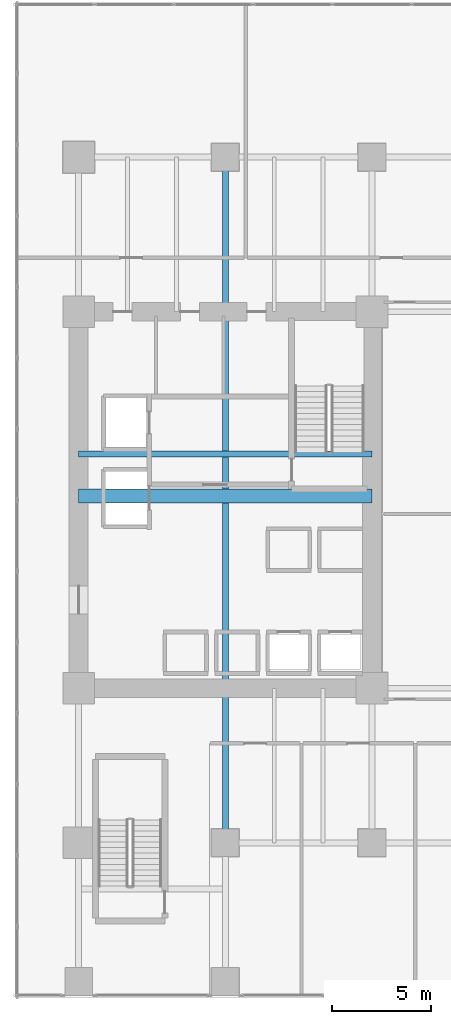
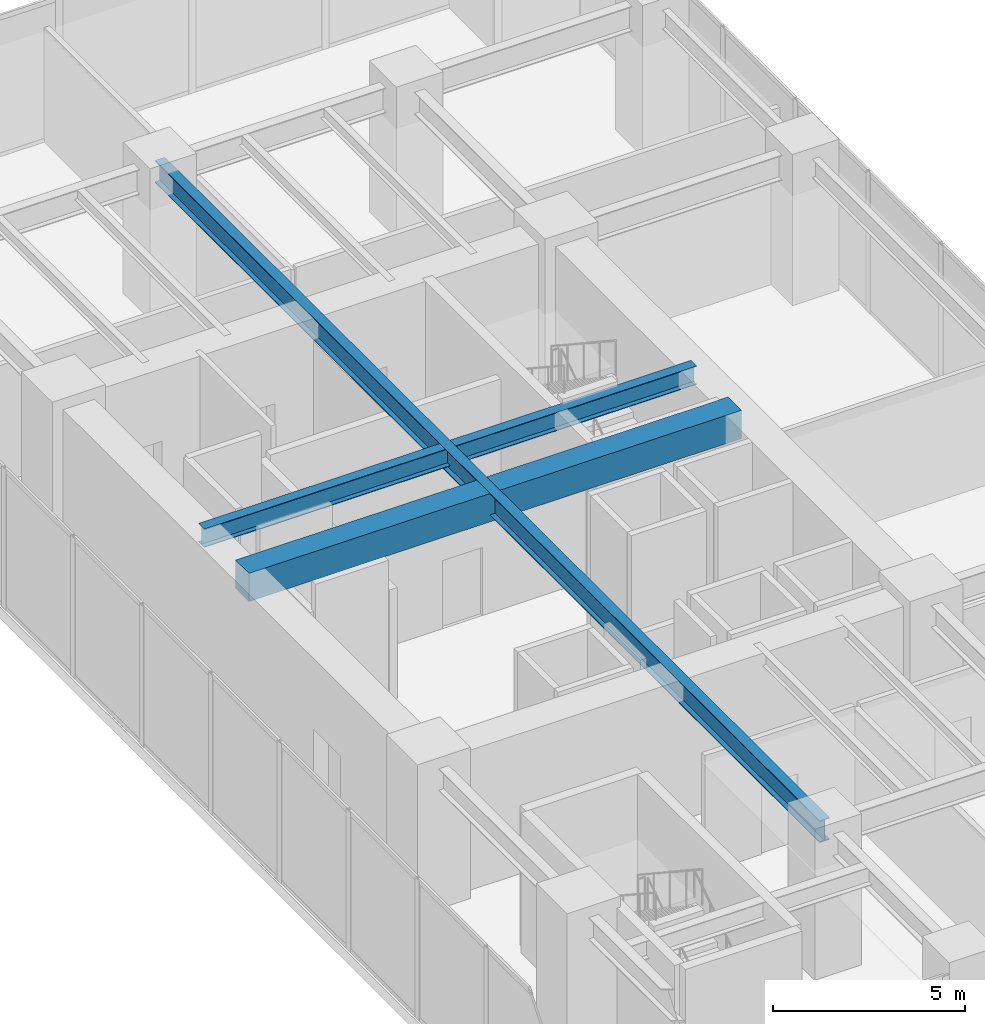
# One storey, part 11 of 33: 3 beams.
"""IFC4 building model written with IfcOpenShell, lengths in metres."""

from ifc_helpers import new_model, si_unit, direction, frame, origin, origin_2d, place, context, subcontext, project, spatial, rectangle, i_section, extrude, source, transform, mapped, material, material_profile, profile_set, type_object, type_shapes, element, save


model = new_model("IFC4")

# Units and contexts
model_context = context("Model", 3, precision=1e-05, world=origin(), true_north=direction((0.0, 1.0)))
body_context = subcontext(model_context, "Body", "Model", "MODEL_VIEW")
ifc_project = project(units=[si_unit("LENGTHUNIT", "METRE"), si_unit("AREAUNIT", "SQUARE_METRE"), si_unit("VOLUMEUNIT", "CUBIC_METRE"), si_unit("PLANEANGLEUNIT", "RADIAN"), si_unit("MASSUNIT", "GRAM", prefix="KILO")], contexts=[model_context])

# Site, building, storey
site_placement = place(None, origin())
site = spatial("IfcSite", under=ifc_project, at=site_placement, CompositionType="ELEMENT")
building_placement = place(site_placement, origin())
building = spatial("IfcBuilding", under=site, at=building_placement, Name="Haelvirn Gate Laboratories", CompositionType="ELEMENT")
storey_placement = place(building_placement, frame((0.0, 0.0, 10.199951171875)))
storey = spatial("IfcBuildingStorey", under=building, at=storey_placement, Name="L03", CompositionType="ELEMENT", Elevation=10.199951171875)

# Beams
ifc_material_1 = material(Name="Concrete C60/75", Category="concrete")
ifc_material_profile_1 = material_profile(ifc_material_1, rectangle(XDim=0.699951171875, YDim=0.89990234375, at=origin_2d()), Name="RCB-700x900")
ifc_profile_set_1 = profile_set([ifc_material_profile_1], Name="Concrete C60/75")
beam_type_1 = type_object("IfcBeamType", Name="BM-RCB-900", PredefinedType="LINTEL", material=ifc_profile_set_1)
shared_shape_1 = source(origin(), body_context, "Body", "SweptSolid", [
    extrude(rectangle(XDim=0.699951171875, YDim=0.89990234375, at=origin_2d()), origin(), (0.0, 0.0, 1.0), 14.7998046875),
])
type_shapes(beam_type_1, [shared_shape_1])
beam_1_placement = place(storey_placement, frame((52.60009765625, 24.5, 4.0), z_axis=(1.0, 0.0, 0.0), x_axis=(0.0, 1.0, 0.0)))
element("IfcBeam", 1, at=beam_1_placement, inside=storey, type_object=beam_type_1, Name="L03 East Core Coupling Beam", PredefinedType="LINTEL", context=body_context, shape_type="MappedRepresentation", body=[
    mapped(shared_shape_1, transform((0.0, 0.0, 0.0), scale=1.0)),
])
ifc_material_2 = material(Name="Steel SM355", Category="steel")
ifc_material_profile_2 = material_profile(ifc_material_2, i_section(OverallWidth=0.300048828125, OverallDepth=0.587890625, WebThickness=0.011962890625, FlangeThickness=0.02001953125, at=origin_2d()), Name="H-588x300x12x20")
ifc_profile_set_2 = profile_set([ifc_material_profile_2], Name="Steel SM355")
beam_type_2 = type_object("IfcBeamType", Name="BM-G-588", PredefinedType="BEAM", material=ifc_profile_set_2)
shared_shape_2 = source(origin(), body_context, "Body", "SweptSolid", [
    extrude(i_section(OverallWidth=0.300048828125, OverallDepth=0.587890625, WebThickness=0.011962890625, FlangeThickness=0.02001953125, at=origin_2d()), origin(), (0.0, 0.0, 1.0), 14.7998046875),
])
type_shapes(beam_type_2, [shared_shape_2])
beam_2_placement = place(storey_placement, frame((52.60009765625, 26.6201171875, 4.156005859375), z_axis=(1.0, 0.0, 0.0), x_axis=(0.0, 1.0, 0.0)))
element("IfcBeam", 2, at=beam_2_placement, inside=storey, type_object=beam_type_2, Name="L03 Stair ST2 Landing Header", PredefinedType="BEAM", context=body_context, shape_type="MappedRepresentation", body=[
    mapped(shared_shape_2, transform((0.0, 0.0, 0.0), scale=1.0)),
])
ifc_material_profile_3 = material_profile(ifc_material_2, i_section(OverallWidth=0.300048828125, OverallDepth=0.699951171875, WebThickness=0.012939453125, FlangeThickness=0.02392578125, at=origin_2d()), Name="H-700x300x13x24")
ifc_profile_set_3 = profile_set([ifc_material_profile_3], Name="Steel SM355")
beam_type_3 = type_object("IfcBeamType", Name="BM-G-700", PredefinedType="BEAM", material=ifc_profile_set_3)
shared_shape_3 = source(origin(), body_context, "Body", "SweptSolid", [
    extrude(i_section(OverallWidth=0.300048828125, OverallDepth=0.699951171875, WebThickness=0.012939453125, FlangeThickness=0.02392578125, at=origin_2d()), origin(), (0.0, 0.0, 1.0), 34.60009765625),
])
type_shapes(beam_type_3, [shared_shape_3])
beam_3_placement = place(storey_placement, frame((60.0, 7.0, 4.10009765625), z_axis=(0.0, 1.0, 0.0), x_axis=(-1.0, 0.0, 0.0)))
element("IfcBeam", 3, at=beam_3_placement, inside=storey, type_object=beam_type_3, Name="L03 Frame Girder X60.0 (7.0-41.6)", PredefinedType="BEAM", context=body_context, shape_type="MappedRepresentation", body=[
    mapped(shared_shape_3, transform((0.0, 0.0, 0.0), scale=1.0)),
])

save(model, "model.ifc")
